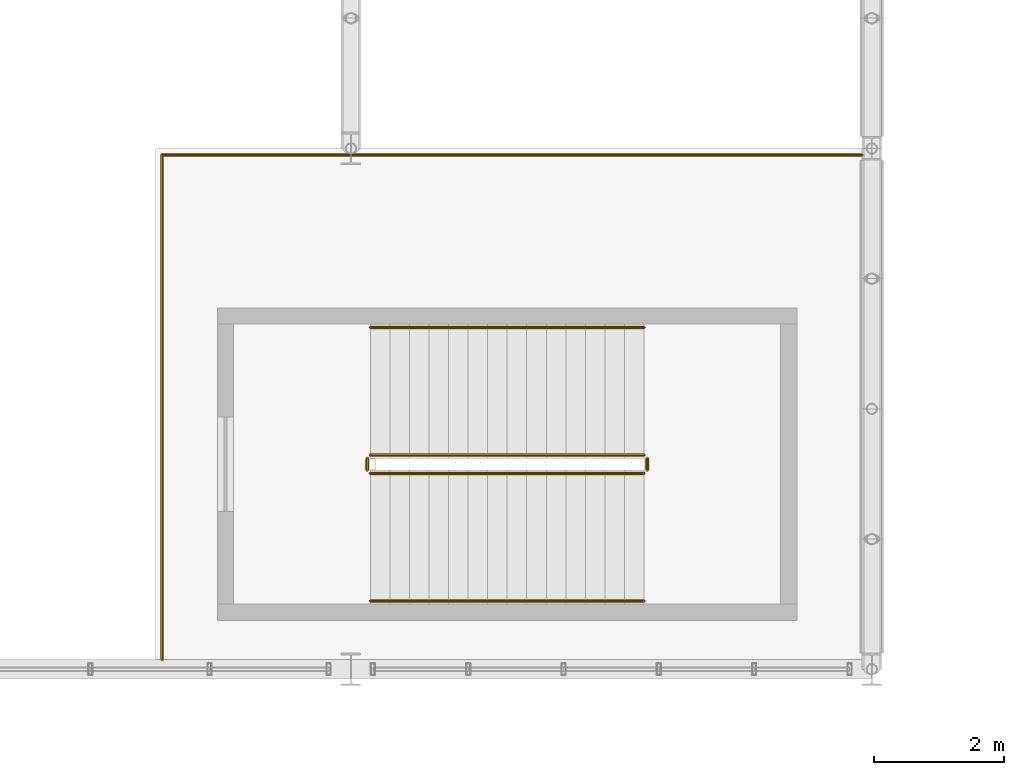
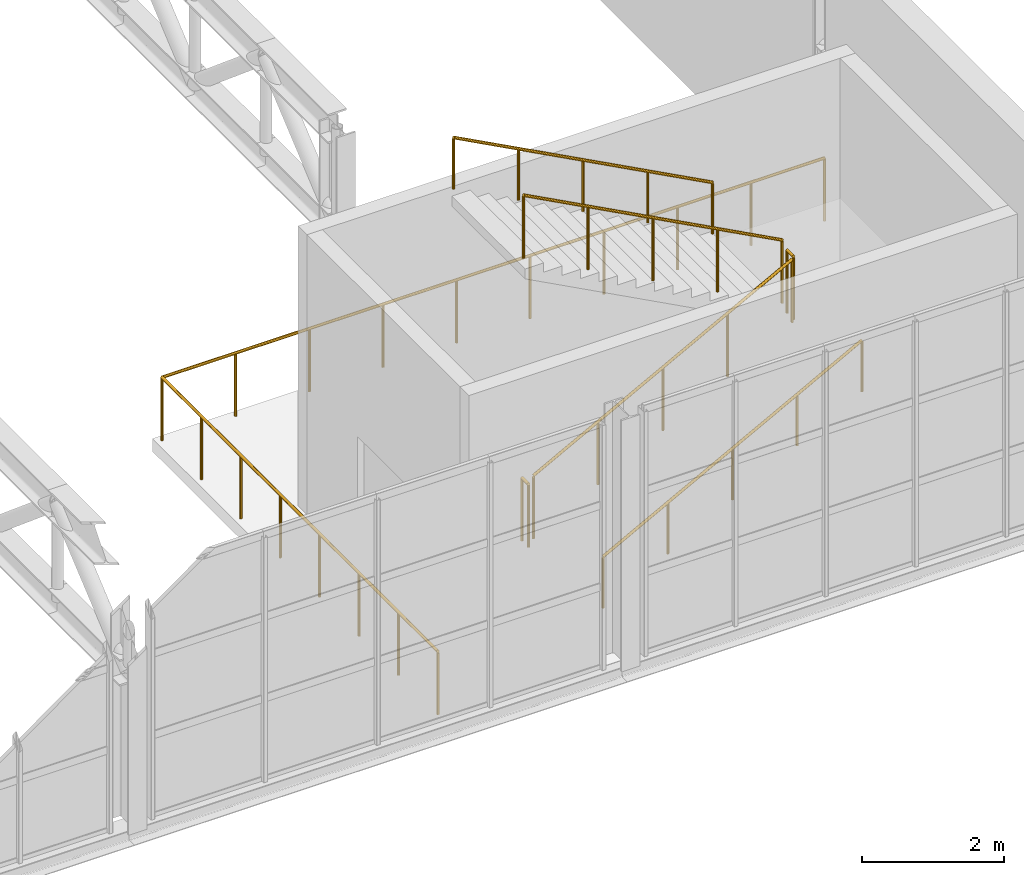
# One storey, part 141 of 143: 7 railings.
"""IFC4 building model written with IfcOpenShell, lengths in metres."""

import ifcopenshell
import ifcopenshell.guid

model = None  # the IFC model being written
_history = None  # IfcOwnerHistory: only IFC2X3 demands one
_inside = {}  # id of a spatial element -> (the spatial element, [elements in it])
_under = {}  # id of a project, library or spatial element -> (it, [spatial elements below it])
_declared = {}  # id of a project -> (the project, [libraries it declares])
_typed = {}  # id of a type object -> (the type object, [elements of that type])
_made_of = {}  # id of a material, layer set ... -> (it, [elements and type objects made of it])


def new_model(schema):
    """Start an empty IFC model of exactly this schema.

    Asked for "IFC4X3", IfcOpenShell would pick the latest addendum, in which some entities
    have other attributes; the version numbers below select the first issue.
    IFC2X3 requires an IfcOwnerHistory on every rooted entity: one is made here for all.
    """
    global model, _history
    if schema == "IFC4X3":
        model = ifcopenshell.file(schema_version=(4, 3, 0, 0))
    else:
        model = ifcopenshell.file(schema=schema)
    _inside.clear()
    _under.clear()
    _declared.clear()
    _typed.clear()
    _made_of.clear()
    _history = None
    if model.schema == "IFC2X3":
        org = make("IfcOrganization", Name="unknown")
        user = make(
            "IfcPersonAndOrganization",
            ThePerson=make("IfcPerson", FamilyName="unknown"),
            TheOrganization=org,
        )
        app = make(
            "IfcApplication",
            ApplicationDeveloper=org,
            Version="unknown",
            ApplicationFullName="unknown",
            ApplicationIdentifier="unknown",
        )
        _history = make(
            "IfcOwnerHistory",
            OwningUser=user,
            OwningApplication=app,
            ChangeAction="ADDED",
            CreationDate=0,
        )
    return model


def make(cls, **values):
    """One entity of the class cls with the attributes given. An attribute that is None is left unset."""
    return model.create_entity(
        cls, **{name: value for name, value in values.items() if value is not None}
    )


def rooted(cls, **values):
    """An entity with a GlobalId (a new one), such as an element, a storey or a relation."""
    return make(cls, GlobalId=ifcopenshell.guid.new(), OwnerHistory=_history, **values)


def si_unit(unit_type, name, prefix=None):
    """IfcSIUnit, for example si_unit("LENGTHUNIT", "METRE", prefix="MILLI")."""
    return make("IfcSIUnit", UnitType=unit_type, Prefix=prefix, Name=name)


def derived_unit(unit_type, elements):
    """IfcDerivedUnit: a product of units, each with its exponent."""
    return make(
        "IfcDerivedUnit",
        Elements=[
            make("IfcDerivedUnitElement", Unit=unit, Exponent=power)
            for unit, power in elements
        ],
        UnitType=unit_type,
    )


def assignment(units):
    """IfcUnitAssignment: the units of a project."""
    return None if units is None else make("IfcUnitAssignment", Units=units)


def point(xyz):
    """IfcCartesianPoint."""
    return None if xyz is None else make("IfcCartesianPoint", Coordinates=xyz)


def direction(xyz):
    """IfcDirection."""
    return None if xyz is None else make("IfcDirection", DirectionRatios=xyz)


def frame(location, z_axis=None, x_axis=None):
    """IfcAxis2Placement3D, a coordinate frame: its origin and axes. An axis left out is left unset."""
    return make(
        "IfcAxis2Placement3D",
        Location=point(location),
        Axis=direction(z_axis),
        RefDirection=direction(x_axis),
    )


def frame_2d(location, x_axis=None):
    """IfcAxis2Placement2D, a coordinate frame in the plane: its origin and x axis."""
    return make(
        "IfcAxis2Placement2D", Location=point(location), RefDirection=direction(x_axis)
    )


def origin():
    """The frame at (0, 0, 0) with its axes left unset."""
    return frame((0.0, 0.0, 0.0))


def origin_2d():
    """The frame at (0, 0) in the plane with its x axis left unset."""
    return frame_2d((0.0, 0.0))


def place(relative_to, where):
    """IfcLocalPlacement: puts the frame where relative to a parent placement (None: the world)."""
    return make(
        "IfcLocalPlacement", PlacementRelTo=relative_to, RelativePlacement=where
    )


def context(
    kind, dimensions, precision=None, world=None, true_north=None, identifier=None
):
    """IfcGeometricRepresentationContext, for example the 3D "Model" context."""
    return make(
        "IfcGeometricRepresentationContext",
        ContextIdentifier=identifier,
        ContextType=kind,
        CoordinateSpaceDimension=dimensions,
        Precision=precision,
        WorldCoordinateSystem=world,
        TrueNorth=true_north,
    )


def subcontext(parent, identifier, kind, view, scale=None):
    """IfcGeometricRepresentationSubContext, for example "Body" below "Model"."""
    return make(
        "IfcGeometricRepresentationSubContext",
        ContextIdentifier=identifier,
        ContextType=kind,
        ParentContext=parent,
        TargetScale=scale,
        TargetView=view,
    )


def project(units=None, contexts=None):
    """IfcProject with its units and contexts."""
    return rooted(
        "IfcProject",
        Name="project",
        RepresentationContexts=contexts,
        UnitsInContext=assignment(units),
    )


def spatial(cls, under=None, at=None, **own):
    """A site, building, storey or space (cls), placed at a placement, below another one or the project."""
    s = rooted(cls, ObjectPlacement=at, **own)
    if under is not None:
        _under.setdefault(under.id(), (under, []))[1].append(s)
    return s


def profile(cls, at=None, kind="AREA", **sizes):
    """A parametric profile (cls). Its sizes go by their IFC names, for example OverallWidth=200.0."""
    return make(cls, ProfileType=kind, Position=at, **sizes)


def circle(**sizes):
    """IfcCircleProfileDef."""
    return profile("IfcCircleProfileDef", **sizes)


def extrude(swept, where, along, depth):
    """IfcExtrudedAreaSolid: the profile swept, set in the frame where, extruded along a direction by depth."""
    return make(
        "IfcExtrudedAreaSolid",
        SweptArea=swept,
        Position=where,
        ExtrudedDirection=direction(along),
        Depth=depth,
    )


def shape(context_of_items, identifier, shape_type, items):
    """IfcShapeRepresentation: the items that make up one representation, for example the "Body"."""
    return make(
        "IfcShapeRepresentation",
        ContextOfItems=context_of_items,
        RepresentationIdentifier=identifier,
        RepresentationType=shape_type,
        Items=items,
    )


def material(Name=None, Category=None):
    """IfcMaterial."""
    return make("IfcMaterial", Name=Name, Category=Category)


def made_of(thing, what):
    """Note that an element or type object is made of a material, layer set ...; save() writes the relation."""
    if what is not None:
        _made_of.setdefault(what.id(), (what, []))[1].append(thing)
    return thing


def type_object(cls, material=None, **own):
    """A type object (cls), such as IfcWallType, which elements share."""
    return made_of(rooted(cls, **own), material)


def element(
    cls,
    number,
    at=None,
    inside=None,
    cuts=None,
    type_object=None,
    material=None,
    context=None,
    identifier="Body",
    shape_type=None,
    held_by="IfcProductDefinitionShape",
    body=None,
    shapes=None,
    **own,
):
    """One element of the class cls, such as IfcWall. Its Tag is "e" and its number.

    at: its placement. inside: the storey or other place that contains it. cuts: it is an
    opening in that element (IfcRelVoidsElement). A single representation is given by context,
    identifier, shape_type and body (its items); several are given by shapes. held_by: the class
    of the entity that holds the representations. save() writes the other relations.
    """
    e = rooted(cls, Tag="e%d" % number, ObjectPlacement=at, **own)
    if body is not None:
        shapes = [shape(context, identifier, shape_type, body)]
    if shapes is not None:
        e.Representation = make(held_by, Representations=shapes)
    if inside is not None:
        _inside.setdefault(inside.id(), (inside, []))[1].append(e)
    if cuts is not None:
        rooted(
            "IfcRelVoidsElement", RelatingBuildingElement=cuts, RelatedOpeningElement=e
        )
    if type_object is not None:
        _typed.setdefault(type_object.id(), (type_object, []))[1].append(e)
    return made_of(e, material)


def aggregate(whole, parts):
    """IfcRelAggregates: a whole, such as a stair, and the parts it consists of."""
    return rooted("IfcRelAggregates", RelatingObject=whole, RelatedObjects=parts)


def save(model, path):
    """Write the relations noted so far, then the file.

    IfcRelAggregates (storeys below a building ...), IfcRelContainedInSpatialStructure (elements
    in a storey), IfcRelDefinesByType, IfcRelAssociatesMaterial and IfcRelDeclares: one each for
    every whole, place, type object, material and project.
    """
    for whole, parts in _under.values():
        aggregate(whole, parts)
    for where, things in _inside.values():
        rooted(
            "IfcRelContainedInSpatialStructure",
            RelatedElements=things,
            RelatingStructure=where,
        )
    for kind, things in _typed.values():
        rooted("IfcRelDefinesByType", RelatedObjects=things, RelatingType=kind)
    for what, things in _made_of.values():
        rooted("IfcRelAssociatesMaterial", RelatedObjects=things, RelatingMaterial=what)
    for by, libraries in _declared.values():
        rooted("IfcRelDeclares", RelatingContext=by, RelatedDefinitions=libraries)
    model.write(path)


model = new_model("IFC4")

# Units and contexts
model_context = context("Model", 3, precision=1e-05, world=origin(), true_north=direction((0.0, 1.0)))
body_context = subcontext(model_context, "Body", "Model", "MODEL_VIEW")
ifc_project = project(units=[si_unit("LENGTHUNIT", "METRE"), si_unit("AREAUNIT", "SQUARE_METRE"), si_unit("VOLUMEUNIT", "CUBIC_METRE"), si_unit("PLANEANGLEUNIT", "RADIAN"), si_unit("MASSUNIT", "GRAM", prefix="KILO"), derived_unit("THERMALTRANSMITTANCEUNIT", [(si_unit("POWERUNIT", "WATT"), 1), (si_unit("LENGTHUNIT", "METRE"), -2), (si_unit("THERMODYNAMICTEMPERATUREUNIT", "KELVIN"), -1)])], contexts=[model_context])

# Site, building, storey
site_placement = place(None, origin())
site = spatial("IfcSite", under=ifc_project, at=site_placement, CompositionType="ELEMENT")
building_placement = place(site_placement, origin())
building = spatial("IfcBuilding", under=site, at=building_placement, Name="Keldorne Ridge Multi-Sports Centre", CompositionType="ELEMENT")
storey_placement = place(building_placement, frame((0.0, 0.0, 4.800048828125)))
storey = spatial("IfcBuildingStorey", under=building, at=storey_placement, Name="L01", CompositionType="ELEMENT", Elevation=4.800048828125)

# Railings
ifc_material_1 = material(Name="Laminated glass and stainless steel", Category="steel")
railing_type_1 = type_object("IfcRailingType", Name="RLG-BL-01", PredefinedType="BALUSTRADE", material=ifc_material_1)
railing_1_placement = place(storey_placement, frame((160.300048828125, 9.010009765625, 0.159912109375)))
element("IfcRailing", 1, at=railing_1_placement, inside=storey, type_object=railing_type_1, Name="L01 ST-05 stair guard 1", PredefinedType="BALUSTRADE", context=body_context, shape_type="SweptSolid", body=[
    extrude(circle(Radius=0.02392578125, at=origin_2d()), frame((0.0, 0.0, 1.076171875), z_axis=(0.882351521365, 0.0, 0.470590897432), x_axis=(0.0, 1.0, 0.0)), (0.0, 0.0, 1.0), 4.760009765625),
    extrude(circle(Radius=0.02099609375, at=origin_2d()), origin(), (0.0, 0.0, 1.0), 1.052001953125),
    extrude(circle(Radius=0.02099609375, at=origin_2d()), frame((1.050048828125, 0.0, 0.56005859375)), (0.0, 0.0, 1.0), 1.052001953125),
    extrude(circle(Radius=0.02099609375, at=origin_2d()), frame((2.10009765625, 0.0, 1.1201171875)), (0.0, 0.0, 1.0), 1.052001953125),
    extrude(circle(Radius=0.02099609375, at=origin_2d()), frame((3.14990234375, 0.0, 1.679931640625)), (0.0, 0.0, 1.0), 1.052001953125),
    extrude(circle(Radius=0.02099609375, at=origin_2d()), frame((4.199951171875, 0.0, 2.239990234375)), (0.0, 0.0, 1.0), 1.052001953125),
])
railing_2_placement = place(storey_placement, frame((164.550048828125, 9.06005859375, 2.39990234375)))
element("IfcRailing", 2, at=railing_2_placement, inside=storey, type_object=railing_type_1, Name="L01 ST-05 stair guard 2", PredefinedType="BALUSTRADE", context=body_context, shape_type="SweptSolid", body=[
    extrude(circle(Radius=0.02392578125, at=origin_2d()), frame((0.0, 0.0, 1.076171875), z_axis=(0.0, 1.0, 0.0), x_axis=(-1.0, 0.0, 0.0)), (0.0, 0.0, 1.0), 0.179931640625),
    extrude(circle(Radius=0.02099609375, at=origin_2d()), origin(), (0.0, 0.0, 1.0), 1.052001953125),
    extrude(circle(Radius=0.02099609375, at=origin_2d()), frame((0.0, 0.179931640625, 0.0)), (0.0, 0.0, 1.0), 1.052001953125),
])
railing_3_placement = place(storey_placement, frame((164.5, 9.2900390625, 2.56005859375)))
element("IfcRailing", 3, at=railing_3_placement, inside=storey, type_object=railing_type_1, Name="L01 ST-05 stair guard 3", PredefinedType="BALUSTRADE", context=body_context, shape_type="SweptSolid", body=[
    extrude(circle(Radius=0.02392578125, at=origin_2d()), frame((0.0, 0.0, 1.076171875), z_axis=(-0.882351521365, 0.0, 0.470590897432), x_axis=(0.0, -1.0, 0.0)), (0.0, 0.0, 1.0), 4.760009765625),
    extrude(circle(Radius=0.02099609375, at=origin_2d()), origin(), (0.0, 0.0, 1.0), 1.052001953125),
    extrude(circle(Radius=0.02099609375, at=origin_2d()), frame((-1.050048828125, 0.0, 0.56005859375)), (0.0, 0.0, 1.0), 1.052001953125),
    extrude(circle(Radius=0.02099609375, at=origin_2d()), frame((-2.10009765625, 0.0, 1.1201171875)), (0.0, 0.0, 1.0), 1.052001953125),
    extrude(circle(Radius=0.02099609375, at=origin_2d()), frame((-3.14990234375, 0.0, 1.679931640625)), (0.0, 0.0, 1.0), 1.052001953125),
    extrude(circle(Radius=0.02099609375, at=origin_2d()), frame((-4.199951171875, 0.0, 2.239990234375)), (0.0, 0.0, 1.0), 1.052001953125),
])
railing_4_placement = place(storey_placement, frame((160.25, 9.06005859375, 0.0)))
element("IfcRailing", 4, at=railing_4_placement, inside=storey, type_object=railing_type_1, Name="L01 ST-05 stair guard 4", PredefinedType="BALUSTRADE", context=body_context, shape_type="SweptSolid", body=[
    extrude(circle(Radius=0.02392578125, at=origin_2d()), frame((0.0, 0.0, 1.076171875), z_axis=(0.0, 1.0, 0.0), x_axis=(-1.0, 0.0, 0.0)), (0.0, 0.0, 1.0), 0.179931640625),
    extrude(circle(Radius=0.02099609375, at=origin_2d()), origin(), (0.0, 0.0, 1.0), 1.052001953125),
    extrude(circle(Radius=0.02099609375, at=origin_2d()), frame((0.0, 0.179931640625, 0.0)), (0.0, 0.0, 1.0), 1.052001953125),
])
railing_5_placement = place(storey_placement, frame((157.10009765625, 6.14990234375, 0.0)))
element("IfcRailing", 5, at=railing_5_placement, inside=storey, type_object=railing_type_1, Name="Safety balustrade RLG-V2-C5-L01", PredefinedType="BALUSTRADE", context=body_context, shape_type="SweptSolid", body=[
    extrude(circle(Radius=0.02392578125, at=origin_2d()), frame((0.0, 0.0, 1.076171875), z_axis=(0.0, 1.0, 0.0), x_axis=(-1.0, 0.0, 0.0)), (0.0, 0.0, 1.0), 7.75),
    extrude(circle(Radius=0.02392578125, at=origin_2d()), frame((0.0, 7.75, 1.076171875), z_axis=(1.0, 0.0, 0.0), x_axis=(0.0, 1.0, 0.0)), (0.0, 0.0, 1.0), 10.75),
    extrude(circle(Radius=0.02099609375, at=origin_2d()), origin(), (0.0, 0.0, 1.0), 1.052001953125),
    extrude(circle(Radius=0.02099609375, at=origin_2d()), frame((0.0, 1.107177734375, 0.0)), (0.0, 0.0, 1.0), 1.052001953125),
    extrude(circle(Radius=0.02099609375, at=origin_2d()), frame((0.0, 2.21435546875, 0.0)), (0.0, 0.0, 1.0), 1.052001953125),
    extrude(circle(Radius=0.02099609375, at=origin_2d()), frame((0.0, 3.321533203125, 0.0)), (0.0, 0.0, 1.0), 1.052001953125),
    extrude(circle(Radius=0.02099609375, at=origin_2d()), frame((0.0, 4.428466796875, 0.0)), (0.0, 0.0, 1.0), 1.052001953125),
    extrude(circle(Radius=0.02099609375, at=origin_2d()), frame((0.0, 5.53564453125, 0.0)), (0.0, 0.0, 1.0), 1.052001953125),
    extrude(circle(Radius=0.02099609375, at=origin_2d()), frame((0.0, 6.642822265625, 0.0)), (0.0, 0.0, 1.0), 1.052001953125),
    extrude(circle(Radius=0.02099609375, at=origin_2d()), frame((0.0, 7.75, 0.0)), (0.0, 0.0, 1.0), 1.052001953125),
    extrude(circle(Radius=0.02099609375, at=origin_2d()), frame((1.1943359375, 7.75, 0.0)), (0.0, 0.0, 1.0), 1.052001953125),
    extrude(circle(Radius=0.02099609375, at=origin_2d()), frame((2.388916015625, 7.75, 0.0)), (0.0, 0.0, 1.0), 1.052001953125),
    extrude(circle(Radius=0.02099609375, at=origin_2d()), frame((3.583251953125, 7.75, 0.0)), (0.0, 0.0, 1.0), 1.052001953125),
    extrude(circle(Radius=0.02099609375, at=origin_2d()), frame((4.77783203125, 7.75, 0.0)), (0.0, 0.0, 1.0), 1.052001953125),
    extrude(circle(Radius=0.02099609375, at=origin_2d()), frame((5.97216796875, 7.75, 0.0)), (0.0, 0.0, 1.0), 1.052001953125),
    extrude(circle(Radius=0.02099609375, at=origin_2d()), frame((7.166748046875, 7.75, 0.0)), (0.0, 0.0, 1.0), 1.052001953125),
    extrude(circle(Radius=0.02099609375, at=origin_2d()), frame((8.361083984375, 7.75, 0.0)), (0.0, 0.0, 1.0), 1.052001953125),
    extrude(circle(Radius=0.02099609375, at=origin_2d()), frame((9.5556640625, 7.75, 0.0)), (0.0, 0.0, 1.0), 1.052001953125),
    extrude(circle(Radius=0.02099609375, at=origin_2d()), frame((10.75, 7.75, 0.0)), (0.0, 0.0, 1.0), 1.052001953125),
])
ifc_material_2 = material(Name="Stainless steel", Category="steel")
railing_type_2 = type_object("IfcRailingType", Name="RLG-HR-01", PredefinedType="HANDRAIL", material=ifc_material_2)
railing_6_placement = place(storey_placement, frame((160.300048828125, 7.050048828125, 0.159912109375)))
element("IfcRailing", 6, at=railing_6_placement, inside=storey, type_object=railing_type_2, Name="L01 ST-05 stair handrail 1", PredefinedType="HANDRAIL", context=body_context, shape_type="SweptSolid", body=[
    extrude(circle(Radius=0.02392578125, at=origin_2d()), frame((0.0, 0.0, 0.8759765625), z_axis=(0.882351521365, 0.0, 0.470590897432), x_axis=(0.0, 1.0, 0.0)), (0.0, 0.0, 1.0), 4.760009765625),
    extrude(circle(Radius=0.02099609375, at=origin_2d()), origin(), (0.0, 0.0, 1.0), 0.851806640625),
    extrude(circle(Radius=0.02099609375, at=origin_2d()), frame((1.050048828125, 0.0, 0.56005859375)), (0.0, 0.0, 1.0), 0.851806640625),
    extrude(circle(Radius=0.02099609375, at=origin_2d()), frame((2.10009765625, 0.0, 1.1201171875)), (0.0, 0.0, 1.0), 0.851806640625),
    extrude(circle(Radius=0.02099609375, at=origin_2d()), frame((3.14990234375, 0.0, 1.679931640625)), (0.0, 0.0, 1.0), 0.851806640625),
    extrude(circle(Radius=0.02099609375, at=origin_2d()), frame((4.199951171875, 0.0, 2.239990234375)), (0.0, 0.0, 1.0), 0.851806640625),
])
railing_7_placement = place(storey_placement, frame((164.5, 11.25, 2.56005859375)))
element("IfcRailing", 7, at=railing_7_placement, inside=storey, type_object=railing_type_2, Name="L01 ST-05 stair handrail 2", PredefinedType="HANDRAIL", context=body_context, shape_type="SweptSolid", body=[
    extrude(circle(Radius=0.02392578125, at=origin_2d()), frame((0.0, 0.0, 0.8759765625), z_axis=(-0.882351521365, 0.0, 0.470590897432), x_axis=(0.0, -1.0, 0.0)), (0.0, 0.0, 1.0), 4.760009765625),
    extrude(circle(Radius=0.02099609375, at=origin_2d()), origin(), (0.0, 0.0, 1.0), 0.851806640625),
    extrude(circle(Radius=0.02099609375, at=origin_2d()), frame((-1.050048828125, 0.0, 0.56005859375)), (0.0, 0.0, 1.0), 0.851806640625),
    extrude(circle(Radius=0.02099609375, at=origin_2d()), frame((-2.10009765625, 0.0, 1.1201171875)), (0.0, 0.0, 1.0), 0.851806640625),
    extrude(circle(Radius=0.02099609375, at=origin_2d()), frame((-3.14990234375, 0.0, 1.679931640625)), (0.0, 0.0, 1.0), 0.851806640625),
    extrude(circle(Radius=0.02099609375, at=origin_2d()), frame((-4.199951171875, 0.0, 2.239990234375)), (0.0, 0.0, 1.0), 0.851806640625),
])

save(model, "model.ifc")
